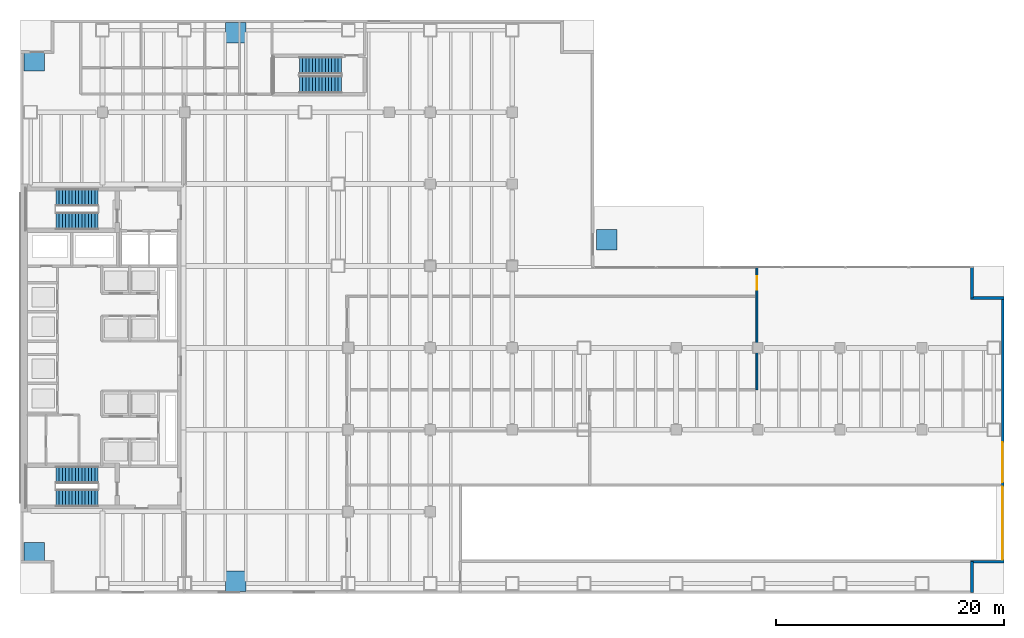
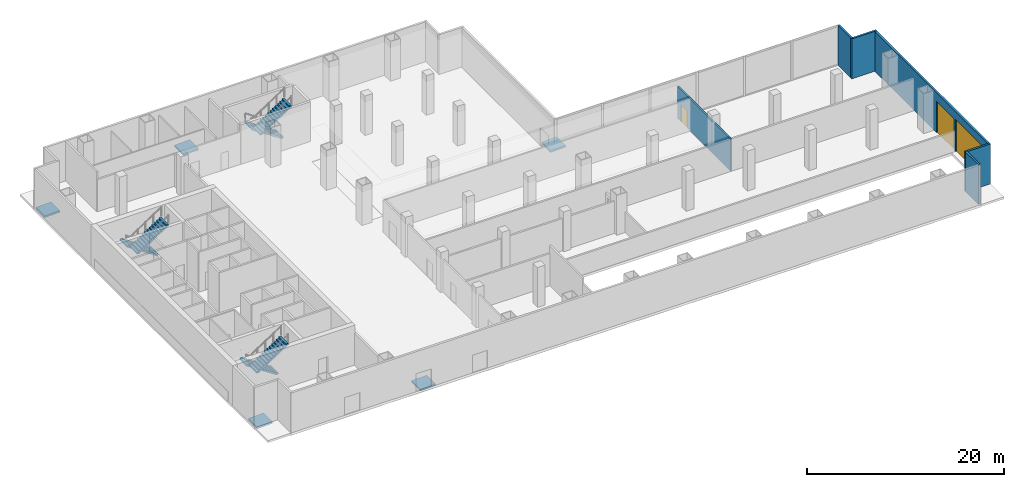
# One storey, part 13 of 17: 6 stair flights, 6 walls, 5 ramp flights, 3 doors, 3 openings, 8 elements without a shape of their own.
"""IFC4 building model written with IfcOpenShell, lengths in metres."""

from ifc_helpers import new_model, si_unit, direction, frame, frame_2d, origin, place, context, subcontext, project, spatial, polyline, rectangle, outline, extrude, material, layer, layer_set, type_object, element, fill, aggregate, save


model = new_model("IFC4")

# Units and contexts
model_context = context("Model", 3, precision=1e-05, world=origin(), true_north=direction((0.0, 1.0)))
body_context = subcontext(model_context, "Body", "Model", "MODEL_VIEW")
ifc_project = project(units=[si_unit("LENGTHUNIT", "METRE"), si_unit("AREAUNIT", "SQUARE_METRE"), si_unit("VOLUMEUNIT", "CUBIC_METRE"), si_unit("PLANEANGLEUNIT", "RADIAN"), si_unit("MASSUNIT", "GRAM", prefix="KILO")], contexts=[model_context])

# Site, building, storey
site_placement = place(None, origin())
site = spatial("IfcSite", under=ifc_project, at=site_placement, CompositionType="ELEMENT")
building_placement = place(site_placement, origin())
building = spatial("IfcBuilding", under=site, at=building_placement, Name="Cobrela Telecom Tower", CompositionType="ELEMENT")
storey_placement = place(building_placement, origin())
storey = spatial("IfcBuildingStorey", under=building, at=storey_placement, Name="L00", CompositionType="ELEMENT", Elevation=0.0)

# Walls
ifc_material_1 = material(Name="Concrete C40/50", Category="concrete")
ifc_layer_1 = layer(ifc_material_1, 0.239990234375)
ifc_layer_set_1 = layer_set([ifc_layer_1], Name="Concrete C40/50")
wall_type_1 = type_object("IfcWallType", Name="WALL-EXT-300", PredefinedType="STANDARD", material=ifc_layer_set_1)
wall_1_placement = place(storey_placement, frame((83.580078125, 28.679931640625, 0.0), z_axis=(0.0, 0.0, 1.0), x_axis=(0.0, -1.0, 0.0)))
element("IfcWall", 1, at=wall_1_placement, inside=storey, type_object=wall_type_1, Name="L00 Concourse Exterior Portal Wall 12", PredefinedType="STANDARD", context=body_context, shape_type="SweptSolid", body=[
    extrude(rectangle(XDim=2.699951171875, YDim=0.239990234375, at=frame_2d((1.35009765625, 0.0))), origin(), (0.0, 0.0, 1.0), 4.949951171875),
])
wall_2_placement = place(storey_placement, frame((83.4599609375, 25.97998046875, 0.0), z_axis=(0.0, 0.0, 1.0), x_axis=(1.0, 0.0, 0.0)))
element("IfcWall", 2, at=wall_2_placement, inside=storey, type_object=wall_type_1, Name="L00 Concourse Exterior Portal Wall 13", PredefinedType="STANDARD", context=body_context, shape_type="SweptSolid", body=[
    extrude(rectangle(XDim=2.93994140625, YDim=0.239990234375, at=frame_2d((1.469970703125, 0.0))), origin(), (0.0, 0.0, 1.0), 4.949951171875),
])

# Wall, openings, doors
wall_3_placement = place(storey_placement, frame((86.280029296875, 25.97998046875, 0.0), z_axis=(0.0, 0.0, 1.0), x_axis=(0.0, -1.0, 0.0)))
wall_3 = element("IfcWall", 3, at=wall_3_placement, inside=storey, type_object=wall_type_1, Name="L00 Concourse Exterior Portal Wall 14", PredefinedType="STANDARD", context=body_context, shape_type="SweptSolid", body=[
    extrude(rectangle(XDim=23.159912109375, YDim=0.239990234375, at=frame_2d((11.580078125, 0.0))), origin(), (0.0, 0.0, 1.0), 4.949951171875),
])
opening_1_placement = place(wall_3_placement, frame((16.580078125, 0.0, 0.0)))
opening_1 = element("IfcOpeningElement", 4, at=opening_1_placement, cuts=wall_3, Name="Opening VG-1", PredefinedType="OPENING", context=body_context, shape_type="SweptSolid", body=[
    extrude(rectangle(XDim=6.39990234375, YDim=4.0, at=frame_2d((3.199951171875, 2.0))), frame((0.0, 0.1318359375, 0.0), z_axis=(0.0, -1.0, 0.0), x_axis=(1.0, 0.0, 0.0)), (0.0, 0.0, 1.0), 0.263916015625),
])
opening_2_placement = place(wall_3_placement, frame((12.679931640625, 0.0, 0.0)))
opening_2 = element("IfcOpeningElement", 5, at=opening_2_placement, cuts=wall_3, Name="Opening VG-2", PredefinedType="OPENING", context=body_context, shape_type="SweptSolid", body=[
    extrude(rectangle(XDim=3.5, YDim=3.89990234375, at=frame_2d((1.75, 1.949951171875))), frame((0.0, 0.1318359375, 0.0), z_axis=(0.0, -1.0, 0.0), x_axis=(1.0, 0.0, 0.0)), (0.0, 0.0, 1.0), 0.263916015625),
])
ifc_material_2 = material(Name="Anodized Bronze Aluminium 6063-T6", Category="aluminium")
door_type_1 = type_object("IfcDoorType", Name="GATE-LOAD-4200", OperationType="SINGLE_SWING_LEFT", PredefinedType="GATE", material=ifc_material_2)
door_1_placement = place(opening_2_placement, origin())
door_1 = element("IfcDoor", 6, at=door_1_placement, inside=storey, type_object=door_type_1, Name="Internal Delivery Loading Bay Roller Shutter VG-2", OperationType="ROLLINGUP", OverallHeight=3.89990234375, OverallWidth=3.5, PredefinedType="GATE", context=body_context, shape_type="SweptSolid", body=[
    extrude(rectangle(XDim=3.5, YDim=3.89990234375, at=frame_2d((1.75, 1.949951171875))), frame((0.0, 0.02490234375, 0.0), z_axis=(0.0, -1.0, 0.0), x_axis=(1.0, 0.0, 0.0)), (0.0, 0.0, 1.0), 0.050048828125),
])
fill(opening_2, door_1)
door_type_2 = type_object("IfcDoorType", Name="GATE-VEH-6400", OperationType="SINGLE_SWING_LEFT", PredefinedType="GATE", material=ifc_material_2)
door_2_placement = place(opening_1_placement, origin())
door_2 = element("IfcDoor", 7, at=door_2_placement, inside=storey, type_object=door_type_2, Name="Car Park Vehicle Ramp Motorized Roller Gate VG-1", OperationType="ROLLINGUP", OverallHeight=4.0, OverallWidth=6.39990234375, PredefinedType="GATE", context=body_context, shape_type="SweptSolid", body=[
    extrude(rectangle(XDim=6.39990234375, YDim=4.0, at=frame_2d((3.199951171875, 2.0))), frame((0.0, 0.02490234375, 0.0), z_axis=(0.0, -1.0, 0.0), x_axis=(1.0, 0.0, 0.0)), (0.0, 0.0, 1.0), 0.050048828125),
])
fill(opening_1, door_2)

# Walls
wall_4_placement = place(storey_placement, frame((86.39990234375, 2.820068359375, 0.0), z_axis=(0.0, 0.0, 1.0), x_axis=(-1.0, 0.0, 0.0)))
element("IfcWall", 8, at=wall_4_placement, inside=storey, type_object=wall_type_1, Name="L00 Concourse Exterior Portal Wall 15", PredefinedType="STANDARD", context=body_context, shape_type="SweptSolid", body=[
    extrude(rectangle(XDim=2.93994140625, YDim=0.239990234375, at=frame_2d((1.469970703125, 0.0))), origin(), (0.0, 0.0, 1.0), 4.949951171875),
])
wall_5_placement = place(storey_placement, frame((83.580078125, 2.820068359375, 0.0), z_axis=(0.0, 0.0, 1.0), x_axis=(0.0, -1.0, 0.0)))
element("IfcWall", 9, at=wall_5_placement, inside=storey, type_object=wall_type_1, Name="L00 Concourse Exterior Portal Wall 16", PredefinedType="STANDARD", context=body_context, shape_type="SweptSolid", body=[
    extrude(rectangle(XDim=2.699951171875, YDim=0.239990234375, at=frame_2d((1.35009765625, 0.0))), origin(), (0.0, 0.0, 1.0), 4.949951171875),
])

# Wall, opening, door
ifc_material_3 = material(Name="Fire-Rated Gypsum Plasterboard")
ifc_layer_2 = layer(ifc_material_3, 0.175048828125)
ifc_layer_set_2 = layer_set([ifc_layer_2], Name="Fire-Rated Gypsum Plasterboard")
wall_type_2 = type_object("IfcWallType", Name="WALL-PART-175", PredefinedType="PARTITIONING", material=ifc_layer_set_2)
wall_6_placement = place(storey_placement, frame((64.699951171875, 17.89990234375, 0.0), z_axis=(0.0, 0.0, 1.0), x_axis=(0.0, 1.0, 0.0)))
wall_6 = element("IfcWall", 10, at=wall_6_placement, inside=storey, type_object=wall_type_2, Name="L00 Interior Partition W-RET-E", PredefinedType="PARTITIONING", context=body_context, shape_type="SweptSolid", body=[
    extrude(rectangle(XDim=10.780029296875, YDim=0.175048828125, at=frame_2d((5.39013671875, 0.0))), origin(), (0.0, 0.0, 1.0), 3.988037109375),
])
opening_3_placement = place(wall_6_placement, frame((8.800048828125, 0.0, 0.0)))
opening_3 = element("IfcOpeningElement", 11, at=opening_3_placement, cuts=wall_6, Name="Opening DR-13", PredefinedType="OPENING", context=body_context, shape_type="SweptSolid", body=[
    extrude(rectangle(XDim=1.199951171875, YDim=2.14990234375, at=frame_2d((0.60009765625, 1.074951171875))), frame((0.0, 0.099609375, 0.0), z_axis=(0.0, -1.0, 0.0), x_axis=(1.0, 0.0, 0.0)), (0.0, 0.0, 1.0), 0.198974609375),
])
door_type_3 = type_object("IfcDoorType", Name="DOOR-INT-1200", OperationType="SINGLE_SWING_LEFT", PredefinedType="DOOR", material=ifc_material_2)
door_3_placement = place(opening_3_placement, origin())
door_3 = element("IfcDoor", 12, at=door_3_placement, inside=storey, type_object=door_type_3, Name="L00 Door DR-13", OperationType="SINGLE_SWING_RIGHT", OverallHeight=2.14990234375, OverallWidth=1.199951171875, PredefinedType="DOOR", context=body_context, shape_type="SweptSolid", body=[
    extrude(rectangle(XDim=1.199951171875, YDim=2.14990234375, at=frame_2d((0.60009765625, 1.074951171875))), frame((0.0, 0.02490234375, 0.0), z_axis=(0.0, -1.0, 0.0), x_axis=(1.0, 0.0, 0.0)), (0.0, 0.0, 1.0), 0.050048828125),
])
fill(opening_3, door_3)

# Stair, stair flights
stair_type = type_object("IfcStairType", Name="STAIR-CORE", PredefinedType="HALF_TURN_STAIR", material=ifc_material_1)
stair_1_placement = place(storey_placement, origin())
stair_1 = element("IfcStair", 13, at=stair_1_placement, inside=storey, type_object=stair_type, Name="L00 Smokeproof Exit Stair ST1", PredefinedType="HALF_TURN_STAIR")
stair_flight_type = type_object("IfcStairFlightType", Name="FLIGHT-CORE", PredefinedType="STRAIGHT", material=ifc_material_1)
stair_flight_1_placement = place(storey_placement, frame((6.820068359375, 34.800048828125, 0.0), z_axis=(0.0, 0.0, 1.0), x_axis=(-1.0, 0.0, 0.0)))
stair_flight_1 = element("IfcStairFlight", 14, at=stair_flight_1_placement, type_object=stair_flight_type, Name="ST1 flight 1", NumberOfRisers=14, NumberOfTreads=13, PredefinedType="STRAIGHT", RiserHeight=0.1875, TreadLength=0.285, context=body_context, shape_type="SweptSolid", body=[
    extrude(outline(polyline([(0.0, 0.0), (0.0, 0.1875), (0.284912109375, 0.1875), (0.284912109375, 0.375), (0.570068359375, 0.375), (0.570068359375, 0.5625), (0.85498046875, 0.5625), (0.85498046875, 0.75), (1.139892578125, 0.75), (1.139892578125, 0.9375), (1.425048828125, 0.9375), (1.425048828125, 1.125), (1.7099609375, 1.125), (1.7099609375, 1.3125), (1.9951171875, 1.3125), (1.9951171875, 1.5), (2.280029296875, 1.5), (2.280029296875, 1.6875), (2.56494140625, 1.6875), (2.56494140625, 1.875), (2.85009765625, 1.875), (2.85009765625, 2.0625), (3.135009765625, 2.0625), (3.135009765625, 2.25), (3.419921875, 2.25), (3.419921875, 2.4375), (3.705078125, 2.4375), (3.705078125, 2.625), (3.705078125, 2.258056640625), (0.272705078125, 0.0), (0.0, 0.0)])), frame((0.0, 0.75, 0.0), z_axis=(0.0, -1.0, 0.0), x_axis=(1.0, 0.0, 0.0)), (0.0, 0.0, 1.0), 1.5),
])
stair_flight_2_placement = place(storey_placement, frame((3.114990234375, 32.75, 2.625), z_axis=(0.0, 0.0, 1.0), x_axis=(1.0, 0.0, 0.0)))
stair_flight_2 = element("IfcStairFlight", 15, at=stair_flight_2_placement, type_object=stair_flight_type, Name="ST1 flight 2", NumberOfRisers=14, NumberOfTreads=13, PredefinedType="STRAIGHT", RiserHeight=0.1875, TreadLength=0.285, context=body_context, shape_type="SweptSolid", body=[
    extrude(outline(polyline([(0.0, 0.0), (0.0, 0.1875), (0.284912109375, 0.1875), (0.284912109375, 0.375), (0.570068359375, 0.375), (0.570068359375, 0.5625), (0.85498046875, 0.5625), (0.85498046875, 0.75), (1.139892578125, 0.75), (1.139892578125, 0.9375), (1.425048828125, 0.9375), (1.425048828125, 1.125), (1.7099609375, 1.125), (1.7099609375, 1.3125), (1.9951171875, 1.3125), (1.9951171875, 1.5), (2.280029296875, 1.5), (2.280029296875, 1.6875), (2.56494140625, 1.6875), (2.56494140625, 1.875), (2.85009765625, 1.875), (2.85009765625, 2.0625), (3.135009765625, 2.0625), (3.135009765625, 2.25), (3.419921875, 2.25), (3.419921875, 2.4375), (3.705078125, 2.4375), (3.705078125, 2.625), (3.705078125, 2.258056640625), (0.272705078125, 0.0), (0.0, 0.0)])), frame((0.0, 0.75, 0.0), z_axis=(0.0, -1.0, 0.0), x_axis=(1.0, 0.0, 0.0)), (0.0, 0.0, 1.0), 1.5),
])
aggregate(stair_1, [stair_flight_1, stair_flight_2])

stair_2_placement = place(storey_placement, origin())
stair_2 = element("IfcStair", 16, at=stair_2_placement, inside=storey, type_object=stair_type, Name="L00 Smokeproof Exit Stair ST2", PredefinedType="HALF_TURN_STAIR")
stair_flight_3_placement = place(storey_placement, frame((6.820068359375, 10.449951171875, 0.0), z_axis=(0.0, 0.0, 1.0), x_axis=(-1.0, 0.0, 0.0)))
stair_flight_3 = element("IfcStairFlight", 17, at=stair_flight_3_placement, type_object=stair_flight_type, Name="ST2 flight 1", NumberOfRisers=14, NumberOfTreads=13, PredefinedType="STRAIGHT", RiserHeight=0.1875, TreadLength=0.285, context=body_context, shape_type="SweptSolid", body=[
    extrude(outline(polyline([(0.0, 0.0), (0.0, 0.1875), (0.284912109375, 0.1875), (0.284912109375, 0.375), (0.570068359375, 0.375), (0.570068359375, 0.5625), (0.85498046875, 0.5625), (0.85498046875, 0.75), (1.139892578125, 0.75), (1.139892578125, 0.9375), (1.425048828125, 0.9375), (1.425048828125, 1.125), (1.7099609375, 1.125), (1.7099609375, 1.3125), (1.9951171875, 1.3125), (1.9951171875, 1.5), (2.280029296875, 1.5), (2.280029296875, 1.6875), (2.56494140625, 1.6875), (2.56494140625, 1.875), (2.85009765625, 1.875), (2.85009765625, 2.0625), (3.135009765625, 2.0625), (3.135009765625, 2.25), (3.419921875, 2.25), (3.419921875, 2.4375), (3.705078125, 2.4375), (3.705078125, 2.625), (3.705078125, 2.258056640625), (0.272705078125, 0.0), (0.0, 0.0)])), frame((0.0, 0.75, 0.0), z_axis=(0.0, -1.0, 0.0), x_axis=(1.0, 0.0, 0.0)), (0.0, 0.0, 1.0), 1.5),
])
stair_flight_4_placement = place(storey_placement, frame((3.114990234375, 8.39990234375, 2.625), z_axis=(0.0, 0.0, 1.0), x_axis=(1.0, 0.0, 0.0)))
stair_flight_4 = element("IfcStairFlight", 18, at=stair_flight_4_placement, type_object=stair_flight_type, Name="ST2 flight 2", NumberOfRisers=14, NumberOfTreads=13, PredefinedType="STRAIGHT", RiserHeight=0.1875, TreadLength=0.285, context=body_context, shape_type="SweptSolid", body=[
    extrude(outline(polyline([(0.0, 0.0), (0.0, 0.1875), (0.284912109375, 0.1875), (0.284912109375, 0.375), (0.570068359375, 0.375), (0.570068359375, 0.5625), (0.85498046875, 0.5625), (0.85498046875, 0.75), (1.139892578125, 0.75), (1.139892578125, 0.9375), (1.425048828125, 0.9375), (1.425048828125, 1.125), (1.7099609375, 1.125), (1.7099609375, 1.3125), (1.9951171875, 1.3125), (1.9951171875, 1.5), (2.280029296875, 1.5), (2.280029296875, 1.6875), (2.56494140625, 1.6875), (2.56494140625, 1.875), (2.85009765625, 1.875), (2.85009765625, 2.0625), (3.135009765625, 2.0625), (3.135009765625, 2.25), (3.419921875, 2.25), (3.419921875, 2.4375), (3.705078125, 2.4375), (3.705078125, 2.625), (3.705078125, 2.258056640625), (0.272705078125, 0.0), (0.0, 0.0)])), frame((0.0, 0.75, 0.0), z_axis=(0.0, -1.0, 0.0), x_axis=(1.0, 0.0, 0.0)), (0.0, 0.0, 1.0), 1.5),
])
aggregate(stair_2, [stair_flight_3, stair_flight_4])

stair_3_placement = place(storey_placement, origin())
stair_3 = element("IfcStair", 19, at=stair_3_placement, inside=storey, type_object=stair_type, Name="L00 Smokeproof Exit Stair ST3", PredefinedType="HALF_TURN_STAIR")
stair_flight_5_placement = place(storey_placement, frame((28.199951171875, 46.39990234375, 0.0), z_axis=(0.0, 0.0, 1.0), x_axis=(-1.0, 0.0, 0.0)))
stair_flight_5 = element("IfcStairFlight", 20, at=stair_flight_5_placement, type_object=stair_flight_type, Name="ST3 flight 1", NumberOfRisers=14, NumberOfTreads=13, PredefinedType="STRAIGHT", RiserHeight=0.1875, TreadLength=0.285, context=body_context, shape_type="SweptSolid", body=[
    extrude(outline(polyline([(0.0, 0.0), (0.0, 0.1875), (0.284912109375, 0.1875), (0.284912109375, 0.375), (0.570068359375, 0.375), (0.570068359375, 0.5625), (0.85498046875, 0.5625), (0.85498046875, 0.75), (1.139892578125, 0.75), (1.139892578125, 0.9375), (1.425048828125, 0.9375), (1.425048828125, 1.125), (1.7099609375, 1.125), (1.7099609375, 1.3125), (1.9951171875, 1.3125), (1.9951171875, 1.5), (2.280029296875, 1.5), (2.280029296875, 1.6875), (2.56494140625, 1.6875), (2.56494140625, 1.875), (2.85009765625, 1.875), (2.85009765625, 2.0625), (3.135009765625, 2.0625), (3.135009765625, 2.25), (3.419921875, 2.25), (3.419921875, 2.4375), (3.705078125, 2.4375), (3.705078125, 2.625), (3.705078125, 2.258056640625), (0.272705078125, 0.0), (0.0, 0.0)])), frame((0.0, 0.75, 0.0), z_axis=(0.0, -1.0, 0.0), x_axis=(1.0, 0.0, 0.0)), (0.0, 0.0, 1.0), 1.5),
])
stair_flight_6_placement = place(storey_placement, frame((24.4951171875, 44.75, 2.625), z_axis=(0.0, 0.0, 1.0), x_axis=(1.0, 0.0, 0.0)))
stair_flight_6 = element("IfcStairFlight", 21, at=stair_flight_6_placement, type_object=stair_flight_type, Name="ST3 flight 2", NumberOfRisers=14, NumberOfTreads=13, PredefinedType="STRAIGHT", RiserHeight=0.1875, TreadLength=0.285, context=body_context, shape_type="SweptSolid", body=[
    extrude(outline(polyline([(0.0, 0.0), (0.0, 0.1875), (0.284912109375, 0.1875), (0.284912109375, 0.375), (0.570068359375, 0.375), (0.570068359375, 0.5625), (0.85498046875, 0.5625), (0.85498046875, 0.75), (1.139892578125, 0.75), (1.139892578125, 0.9375), (1.425048828125, 0.9375), (1.425048828125, 1.125), (1.7099609375, 1.125), (1.7099609375, 1.3125), (1.9951171875, 1.3125), (1.9951171875, 1.5), (2.280029296875, 1.5), (2.280029296875, 1.6875), (2.56494140625, 1.6875), (2.56494140625, 1.875), (2.85009765625, 1.875), (2.85009765625, 2.0625), (3.135009765625, 2.0625), (3.135009765625, 2.25), (3.419921875, 2.25), (3.419921875, 2.4375), (3.705078125, 2.4375), (3.705078125, 2.625), (3.705078125, 2.258056640625), (0.272705078125, 0.0), (0.0, 0.0)])), frame((0.0, 0.75, 0.0), z_axis=(0.0, -1.0, 0.0), x_axis=(1.0, 0.0, 0.0)), (0.0, 0.0, 1.0), 1.5),
])
aggregate(stair_3, [stair_flight_5, stair_flight_6])

# Ramp, ramp flight
ramp_type = type_object("IfcRampType", Name="RAMP-PED-1", PredefinedType="STRAIGHT_RUN_RAMP", material=ifc_material_1)
ramp_1_placement = place(storey_placement, origin())
ramp_1 = element("IfcRamp", 22, at=ramp_1_placement, inside=storey, type_object=ramp_type, Name="L00 Accessible Entry Ramp SW", PredefinedType="STRAIGHT_RUN_RAMP")
ifc_layer_3 = layer(ifc_material_1, 0.219970703125)
ifc_layer_set_3 = layer_set([ifc_layer_3], Name="Concrete C40/50")
ramp_flight_type = type_object("IfcRampFlightType", Name="RAMP-FLT-PED", PredefinedType="STRAIGHT", material=ifc_layer_set_3)
ramp_flight_1_placement = place(storey_placement, frame((0.300048828125, 2.699951171875, -0.06005859375), z_axis=(-0.033346424511, 0.0, 0.999443853337), x_axis=(0.999443853337, 0.0, 0.033346424511)))
ramp_flight_1 = element("IfcRampFlight", 23, at=ramp_flight_1_placement, type_object=ramp_flight_type, Name="L00 Accessible Entry Ramp Flight SW", PredefinedType="STRAIGHT", context=body_context, shape_type="SweptSolid", body=[
    extrude(outline(polyline([(0.0, 0.0), (1.8010504763380213, 0.0), (1.8010504763380213, 1.800048828125), (0.0, 1.800048828125), (0.0, 0.0)])), origin(), (0.0, 0.0, -1.0), 0.219970703125),
])
aggregate(ramp_1, [ramp_flight_1])

ramp_2_placement = place(storey_placement, origin())
ramp_2 = element("IfcRamp", 24, at=ramp_2_placement, inside=storey, type_object=ramp_type, Name="L00 Accessible Entry Ramp NW", PredefinedType="STRAIGHT_RUN_RAMP")
ramp_flight_2_placement = place(storey_placement, frame((0.300048828125, 45.89990234375, -0.06005859375), z_axis=(-0.033346424511, 0.0, 0.999443853337), x_axis=(0.999443853337, 0.0, 0.033346424511)))
ramp_flight_2 = element("IfcRampFlight", 25, at=ramp_flight_2_placement, type_object=ramp_flight_type, Name="L00 Accessible Entry Ramp Flight NW", PredefinedType="STRAIGHT", context=body_context, shape_type="SweptSolid", body=[
    extrude(outline(polyline([(0.0, 0.0), (1.8010504763380213, 0.0), (1.8010504763380213, 1.800048828125), (0.0, 1.800048828125), (0.0, 0.0)])), origin(), (0.0, 0.0, -1.0), 0.219970703125),
])
aggregate(ramp_2, [ramp_flight_2])

ramp_3_placement = place(storey_placement, origin())
ramp_3 = element("IfcRamp", 26, at=ramp_3_placement, inside=storey, type_object=ramp_type, Name="L00 Accessible Entry Ramp S1", PredefinedType="STRAIGHT_RUN_RAMP")
ramp_flight_3_placement = place(storey_placement, frame((18.0, 0.199951171875, -0.06005859375), z_axis=(-0.033346424511, 0.0, 0.999443853337), x_axis=(0.999443853337, 0.0, 0.033346424511)))
ramp_flight_3 = element("IfcRampFlight", 27, at=ramp_flight_3_placement, type_object=ramp_flight_type, Name="L00 Accessible Entry Ramp Flight S1", PredefinedType="STRAIGHT", context=body_context, shape_type="SweptSolid", body=[
    extrude(outline(polyline([(0.0, 0.0), (1.8010504763380213, 0.0), (1.8010504763380213, 1.800048828125), (0.0, 1.800048828125), (0.0, 0.0)])), origin(), (0.0, 0.0, -1.0), 0.219970703125),
])
aggregate(ramp_3, [ramp_flight_3])

ramp_4_placement = place(storey_placement, origin())
ramp_4 = element("IfcRamp", 28, at=ramp_4_placement, inside=storey, type_object=ramp_type, Name="L00 Accessible Entry Ramp N1", PredefinedType="STRAIGHT_RUN_RAMP")
ramp_flight_4_placement = place(storey_placement, frame((18.0, 48.39990234375, -0.06005859375), z_axis=(-0.033346424511, 0.0, 0.999443853337), x_axis=(0.999443853337, 0.0, 0.033346424511)))
ramp_flight_4 = element("IfcRampFlight", 29, at=ramp_flight_4_placement, type_object=ramp_flight_type, Name="L00 Accessible Entry Ramp Flight N1", PredefinedType="STRAIGHT", context=body_context, shape_type="SweptSolid", body=[
    extrude(outline(polyline([(0.0, 0.0), (1.8010504763380213, 0.0), (1.8010504763380213, 1.800048828125), (0.0, 1.800048828125), (0.0, 0.0)])), origin(), (0.0, 0.0, -1.0), 0.219970703125),
])
aggregate(ramp_4, [ramp_flight_4])

ramp_5_placement = place(storey_placement, origin())
ramp_5 = element("IfcRamp", 30, at=ramp_5_placement, inside=storey, type_object=ramp_type, Name="L00 Accessible Entry Ramp PLZ", PredefinedType="STRAIGHT_RUN_RAMP")
ramp_flight_5_placement = place(storey_placement, frame((50.60009765625, 30.199951171875, -0.06005859375), z_axis=(-0.033350942869, 0.0, 0.999443702571), x_axis=(0.999443702571, 0.0, 0.033350942869)))
ramp_flight_5 = element("IfcRampFlight", 31, at=ramp_flight_5_placement, type_object=ramp_flight_type, Name="L00 Accessible Entry Ramp Flight PLZ", PredefinedType="STRAIGHT", context=body_context, shape_type="SweptSolid", body=[
    extrude(outline(polyline([(0.0, 0.0), (1.8008064715094179, 0.0), (1.8008064715094179, 1.800048828125), (0.0, 1.800048828125), (0.0, 0.0)])), origin(), (0.0, 0.0, -1.0), 0.219970703125),
])
aggregate(ramp_5, [ramp_flight_5])

save(model, "model.ifc")
